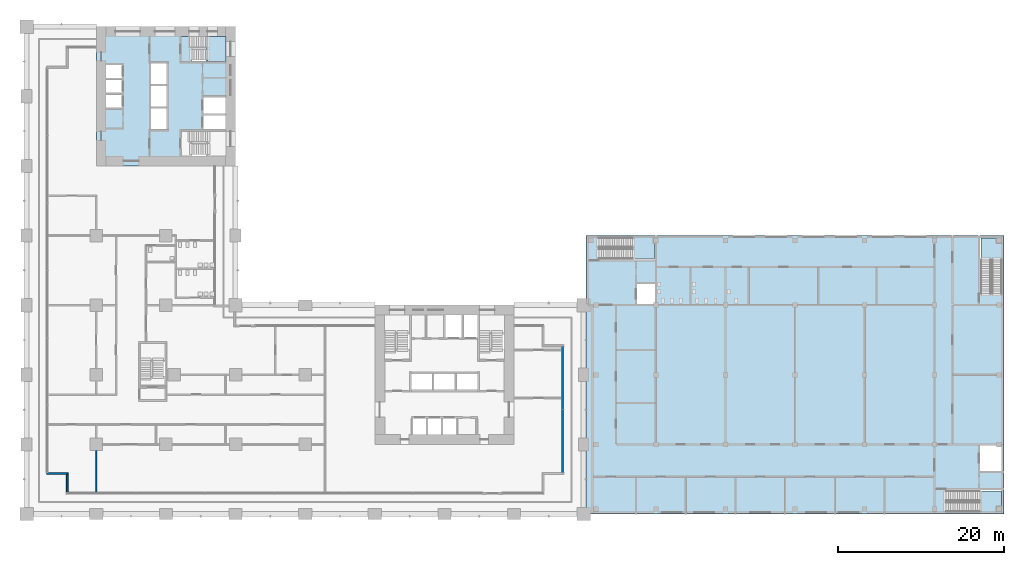
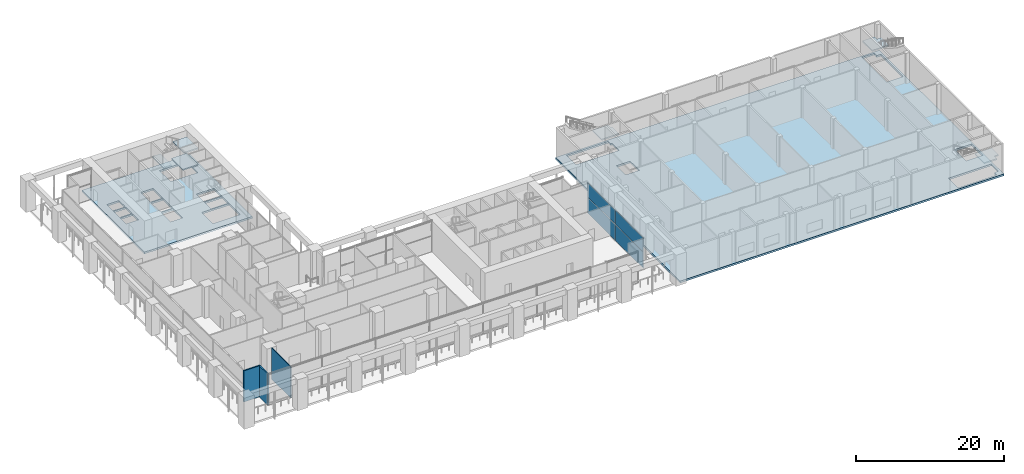
# One storey, part 13 of 32: 8 slabs, 4 plates, 3 walls, 5 elements without a shape of their own.
"""IFC4 building model written with IfcOpenShell, lengths in metres."""

from ifc_helpers import new_model, si_unit, direction, frame, frame_2d, origin, origin_2d, place, context, subcontext, project, spatial, polyline, rectangle, outline, extrude, material, layer, layer_set, type_object, element, aggregate, save


model = new_model("IFC4")

# Units and contexts
model_context = context("Model", 3, precision=1e-05, world=origin(), true_north=direction((0.0, 1.0)))
body_context = subcontext(model_context, "Body", "Model", "MODEL_VIEW")
ifc_project = project(units=[si_unit("LENGTHUNIT", "METRE"), si_unit("AREAUNIT", "SQUARE_METRE"), si_unit("VOLUMEUNIT", "CUBIC_METRE"), si_unit("PLANEANGLEUNIT", "RADIAN"), si_unit("MASSUNIT", "GRAM", prefix="KILO")], contexts=[model_context])

# Site, building, storey
site_placement = place(None, origin())
site = spatial("IfcSite", under=ifc_project, at=site_placement, CompositionType="ELEMENT")
building_placement = place(site_placement, origin())
building = spatial("IfcBuilding", under=site, at=building_placement, Name="Vermilion Gate Residences", CompositionType="ELEMENT")
storey_placement = place(building_placement, frame((0.0, 0.0, 19.800048828125)))
storey = spatial("IfcBuildingStorey", under=building, at=storey_placement, Name="L03", CompositionType="ELEMENT", Elevation=19.800048828125)

# Curtain wall, plates
ifc_material_1 = material(Name="Aluminium and glass", Category="aluminium")
curtain_wall_type = type_object("IfcCurtainWallType", Name="AMENITY GLAZING CURTAIN WALL", PredefinedType="NOTDEFINED", material=ifc_material_1)
curtain_wall_placement = place(storey_placement, origin())
curtain_wall = element("IfcCurtainWall", 1, at=curtain_wall_placement, inside=storey, type_object=curtain_wall_type, Name="Amenity Glazing 90", PredefinedType="NOTDEFINED")
ifc_material_2 = material(Name="Low-iron glass", Category="glass")
ifc_layer_1 = layer(ifc_material_2, 0.028076171875)
ifc_layer_set_1 = layer_set([ifc_layer_1], Name="AMENITY GLAZING GLASS PANEL 28")
plate_type = type_object("IfcPlateType", Name="AMENITY GLAZING GLASS PANEL 28", PredefinedType="CURTAIN_PANEL", material=ifc_layer_set_1)
plate_1_placement = place(storey_placement, frame((64.699951171875, 8.81494140625, 0.06005859375), z_axis=(0.0, 0.0, 1.0), x_axis=(0.0, 1.0, 0.0)))
plate_1 = element("IfcPlate", 2, at=plate_1_placement, type_object=plate_type, Name="ECW2 panel 1.1", PredefinedType="CURTAIN_PANEL", context=body_context, shape_type="SweptSolid", body=[
    extrude(rectangle(XDim=7.510009765625, YDim=0.028076171875, at=origin_2d()), origin(), (0.0, 0.0, 1.0), 2.610107421875),
])
plate_2_placement = place(storey_placement, frame((64.699951171875, 8.81494140625, 2.72998046875), z_axis=(0.0, 0.0, 1.0), x_axis=(0.0, 1.0, 0.0)))
plate_2 = element("IfcPlate", 3, at=plate_2_placement, type_object=plate_type, Name="ECW2 panel 1.2", PredefinedType="CURTAIN_PANEL", context=body_context, shape_type="SweptSolid", body=[
    extrude(rectangle(XDim=7.510009765625, YDim=0.028076171875, at=origin_2d()), origin(), (0.0, 0.0, 1.0), 2.330078125),
])
plate_3_placement = place(storey_placement, frame((64.699951171875, 16.385009765625, 0.06005859375), z_axis=(0.0, 0.0, 1.0), x_axis=(0.0, 1.0, 0.0)))
plate_3 = element("IfcPlate", 4, at=plate_3_placement, type_object=plate_type, Name="ECW2 panel 2.1", PredefinedType="CURTAIN_PANEL", context=body_context, shape_type="SweptSolid", body=[
    extrude(rectangle(XDim=7.510009765625, YDim=0.028076171875, at=origin_2d()), origin(), (0.0, 0.0, 1.0), 2.610107421875),
])
plate_4_placement = place(storey_placement, frame((64.699951171875, 16.385009765625, 2.72998046875), z_axis=(0.0, 0.0, 1.0), x_axis=(0.0, 1.0, 0.0)))
plate_4 = element("IfcPlate", 5, at=plate_4_placement, type_object=plate_type, Name="ECW2 panel 2.2", PredefinedType="CURTAIN_PANEL", context=body_context, shape_type="SweptSolid", body=[
    extrude(rectangle(XDim=7.510009765625, YDim=0.028076171875, at=origin_2d()), origin(), (0.0, 0.0, 1.0), 2.330078125),
])
aggregate(curtain_wall, [plate_1, plate_2, plate_3, plate_4])

# Slabs
ifc_material_3 = material(Name="Concrete C35", Category="concrete")
ifc_layer_2 = layer(ifc_material_3, 0.300048828125)
ifc_layer_set_2 = layer_set([ifc_layer_2], Name="FLOOR SLAB 300 C35 (MARKET HALL)")
slab_type_1 = type_object("IfcSlabType", Name="FLOOR SLAB 300 C35 (MARKET HALL)", PredefinedType="FLOOR", material=ifc_layer_set_2)
slab_1_placement = place(storey_placement, frame((0.0, 0.0, -0.300048828125)))
element("IfcSlab", 6, at=slab_1_placement, inside=storey, type_object=slab_type_1, Name="Floor slab L03", PredefinedType="FLOOR", context=body_context, shape_type="SweptSolid", body=[
    extrude(outline(polyline([(67.5, 0.0), (117.89990234375, 0.0), (117.89990234375, 33.60009765625), (67.5, 33.60009765625), (67.5, 0.0)]), holes=[polyline([(110.925048828125, 2.875), (117.60009765625, 2.875), (117.60009765625, 0.949951171875), (116.949951171875, 0.949951171875), (116.949951171875, 0.300048828125), (110.925048828125, 0.300048828125), (110.925048828125, 2.875)]), polyline([(115.02490234375, 5.22509765625), (115.02490234375, 8.27490234375), (117.64990234375, 8.27490234375), (117.64990234375, 5.22509765625), (115.02490234375, 5.22509765625)]), polyline([(73.625, 25.324951171875), (73.625, 27.77490234375), (75.77490234375, 27.77490234375), (75.77490234375, 25.324951171875), (73.625, 25.324951171875)]), polyline([(115.02490234375, 33.300048828125), (116.949951171875, 33.300048828125), (116.949951171875, 32.64990234375), (117.60009765625, 32.64990234375), (117.60009765625, 26.625), (115.02490234375, 26.625), (115.02490234375, 33.300048828125)]), polyline([(69.050048828125, 33.300048828125), (75.550048828125, 33.300048828125), (75.550048828125, 32.64990234375), (75.77490234375, 32.64990234375), (75.77490234375, 30.72509765625), (69.050048828125, 30.72509765625), (69.050048828125, 33.300048828125)])]), origin(), (0.0, 0.0, 1.0), 0.300048828125),
])
ifc_material_4 = material(Name="Concrete C50", Category="concrete")
ifc_layer_3 = layer(ifc_material_4, 0.300048828125)
ifc_layer_set_3 = layer_set([ifc_layer_3], Name="RC CORE FLOOR SLAB 300 C50")
slab_type_2 = type_object("IfcSlabType", Name="RC CORE FLOOR SLAB 300 C50", PredefinedType="FLOOR", material=ifc_layer_set_3)
slab_2_placement = place(storey_placement, frame((0.0, 0.0, -0.300048828125)))
element("IfcSlab", 7, at=slab_2_placement, inside=storey, type_object=slab_type_2, Name="Core floor slab B03", PredefinedType="FLOOR", context=body_context, shape_type="SweptSolid", body=[
    extrude(outline(polyline([(8.39990234375, 42.0), (25.199951171875, 42.0), (25.199951171875, 58.800048828125), (8.39990234375, 58.800048828125), (8.39990234375, 42.0)]), holes=[polyline([(19.75, 46.199951171875), (24.0, 46.199951171875), (24.0, 43.199951171875), (19.75, 43.199951171875), (19.75, 46.199951171875)]), polyline([(21.300048828125, 48.10009765625), (24.0, 48.10009765625), (24.0, 46.39990234375), (21.300048828125, 46.39990234375), (21.300048828125, 48.10009765625)]), polyline([(15.0, 48.933349609375), (16.89990234375, 48.933349609375), (16.89990234375, 46.39990234375), (15.0, 46.39990234375), (15.0, 48.933349609375)]), polyline([(24.0, 50.300048828125), (24.0, 48.300048828125), (21.300048828125, 48.300048828125), (21.300048828125, 50.300048828125), (24.0, 50.300048828125)]), polyline([(11.5, 50.60009765625), (11.5, 49.0), (9.60009765625, 49.0), (9.60009765625, 50.60009765625), (11.5, 50.60009765625)]), polyline([(15.0, 51.666748046875), (16.89990234375, 51.666748046875), (16.89990234375, 49.13330078125), (15.0, 49.13330078125), (15.0, 51.666748046875)]), polyline([(9.60009765625, 52.39990234375), (11.5, 52.39990234375), (11.5, 50.800048828125), (9.60009765625, 50.800048828125), (9.60009765625, 52.39990234375)]), polyline([(15.0, 54.39990234375), (16.89990234375, 54.39990234375), (16.89990234375, 51.86669921875), (15.0, 51.86669921875), (15.0, 54.39990234375)]), polyline([(11.5, 54.199951171875), (11.5, 52.60009765625), (9.60009765625, 52.60009765625), (9.60009765625, 54.199951171875), (11.5, 54.199951171875)]), polyline([(24.0, 57.60009765625), (24.0, 54.60009765625), (19.75, 54.60009765625), (19.75, 57.60009765625), (24.0, 57.60009765625)])]), origin(), (0.0, 0.0, 1.0), 0.300048828125),
])

# Stair, slab
ifc_material_5 = material(Name="Concrete C35", Category="concrete")
stair_type_1 = type_object("IfcStairType", Name="RC STAIR 1200 (MARKET HALL)", PredefinedType="HALF_TURN_STAIR", material=ifc_material_5)
stair_1_placement = place(storey_placement, origin())
stair_1 = element("IfcStair", 8, at=stair_1_placement, inside=storey, type_object=stair_type_1, Name="Stair STH1-03", PredefinedType="HALF_TURN_STAIR")
ifc_material_6 = material(Name="Concrete C35", Category="concrete")
ifc_layer_4 = layer(ifc_material_6, 0.199951171875)
ifc_layer_set_4 = layer_set([ifc_layer_4], Name="STAIR LANDING 200 C35 (MARKET HALL)")
slab_type_3 = type_object("IfcSlabType", Name="STAIR LANDING 200 C35 (MARKET HALL)", PredefinedType="LANDING", material=ifc_layer_set_4)
slab_3_placement = place(storey_placement, frame((0.0, 0.0, 2.5)))
slab_3 = element("IfcSlab", 9, at=slab_3_placement, type_object=slab_type_3, Name="STH1-03 landing 1", PredefinedType="LANDING", context=body_context, shape_type="SweptSolid", body=[
    extrude(outline(polyline([(75.550048828125, 33.35009765625), (73.10009765625, 33.35009765625), (73.10009765625, 30.800048828125), (75.784912109375, 30.800048828125), (75.784912109375, 32.64990234375), (75.550048828125, 32.64990234375), (75.550048828125, 33.35009765625)])), origin(), (0.0, 0.0, 1.0), 0.199951171875),
])
aggregate(stair_1, [slab_3])

stair_2_placement = place(storey_placement, origin())
stair_2 = element("IfcStair", 10, at=stair_2_placement, inside=storey, type_object=stair_type_1, Name="Stair STH2-03", PredefinedType="HALF_TURN_STAIR")
slab_4_placement = place(storey_placement, frame((0.0, 0.0, 2.5)))
slab_4 = element("IfcSlab", 11, at=slab_4_placement, type_object=slab_type_3, Name="STH2-03 landing 1", PredefinedType="LANDING", context=body_context, shape_type="SweptSolid", body=[
    extrude(outline(polyline([(114.97509765625, 0.25), (116.949951171875, 0.25), (116.949951171875, 0.949951171875), (117.610107421875, 0.949951171875), (117.610107421875, 2.800048828125), (114.97509765625, 2.800048828125), (114.97509765625, 0.25)])), origin(), (0.0, 0.0, 1.0), 0.199951171875),
])
aggregate(stair_2, [slab_4])

stair_3_placement = place(storey_placement, origin())
stair_3 = element("IfcStair", 12, at=stair_3_placement, inside=storey, type_object=stair_type_1, Name="Stair STH3-03", PredefinedType="HALF_TURN_STAIR")
slab_5_placement = place(storey_placement, frame((0.0, 0.0, 2.5)))
slab_5 = element("IfcSlab", 13, at=slab_5_placement, type_object=slab_type_3, Name="STH3-03 landing 1", PredefinedType="LANDING", context=body_context, shape_type="SweptSolid", body=[
    extrude(outline(polyline([(116.949951171875, 33.31005859375), (115.10009765625, 33.31005859375), (115.10009765625, 30.675048828125), (117.64990234375, 30.675048828125), (117.64990234375, 32.64990234375), (116.949951171875, 32.64990234375), (116.949951171875, 33.31005859375)])), origin(), (0.0, 0.0, 1.0), 0.199951171875),
])
aggregate(stair_3, [slab_5])

# Stair, slabs
ifc_material_7 = material(Name="Concrete C50", Category="concrete")
stair_type_2 = type_object("IfcStairType", Name="SPECIAL ESCAPE STAIR 1300", PredefinedType="HALF_TURN_STAIR", material=ifc_material_7)
stair_4_placement = place(storey_placement, origin())
stair_4 = element("IfcStair", 14, at=stair_4_placement, inside=storey, type_object=stair_type_2, Name="Special escape stair STB1-03", PredefinedType="HALF_TURN_STAIR")
ifc_material_8 = material(Name="Concrete C50", Category="concrete")
ifc_layer_5 = layer(ifc_material_8, 0.199951171875)
ifc_layer_set_5 = layer_set([ifc_layer_5], Name="STAIR LANDING 200 C50")
slab_type_4 = type_object("IfcSlabType", Name="STAIR LANDING 200 C50", PredefinedType="LANDING", material=ifc_layer_set_5)
slab_6_placement = place(storey_placement, frame((0.0, 0.0, 1.14990234375)))
slab_6 = element("IfcSlab", 15, at=slab_6_placement, type_object=slab_type_4, Name="STB1-03 landing 1", PredefinedType="LANDING", context=body_context, shape_type="SweptSolid", body=[
    extrude(outline(polyline([(24.02001953125, 54.580078125), (24.02001953125, 57.6201171875), (21.639892578125, 57.6201171875), (21.639892578125, 54.580078125), (24.02001953125, 54.580078125)])), origin(), (0.0, 0.0, 1.0), 0.199951171875),
])
slab_7_placement = place(storey_placement, frame((0.0, 0.0, 2.5)))
slab_7 = element("IfcSlab", 16, at=slab_7_placement, type_object=slab_type_4, Name="STB1-03 landing 2", PredefinedType="LANDING", context=body_context, shape_type="SweptSolid", body=[
    extrude(outline(polyline([(19.929931640625, 54.580078125), (19.929931640625, 57.6201171875), (18.6298828125, 57.6201171875), (18.6298828125, 54.580078125), (19.929931640625, 54.580078125)])), origin(), (0.0, 0.0, 1.0), 0.199951171875),
])
slab_8_placement = place(storey_placement, frame((0.0, 0.0, 3.849853515625)))
slab_8 = element("IfcSlab", 17, at=slab_8_placement, type_object=slab_type_4, Name="STB1-03 landing 3", PredefinedType="LANDING", context=body_context, shape_type="SweptSolid", body=[
    extrude(outline(polyline([(24.02001953125, 54.580078125), (24.02001953125, 57.6201171875), (21.820068359375, 57.6201171875), (21.820068359375, 54.580078125), (24.02001953125, 54.580078125)])), origin(), (0.0, 0.0, 1.0), 0.2001953125),
])
aggregate(stair_4, [slab_6, slab_7, slab_8])

# Walls
ifc_material_9 = material(Name="Insulated steel stud wall with terracotta rainscreen", Category="masonry")
ifc_layer_6 = layer(ifc_material_9, 0.199951171875)
ifc_layer_set_6 = layer_set([ifc_layer_6], Name="EXTERNAL WALL 200 TERRACOTTA RAINSCREEN")
wall_type_1 = type_object("IfcWallType", Name="EXTERNAL WALL 200 TERRACOTTA RAINSCREEN", PredefinedType="SOLIDWALL", material=ifc_layer_set_6)
wall_1_placement = place(storey_placement, frame((2.39990234375, 4.89990234375, 0.0), z_axis=(0.0, 0.0, 1.0), x_axis=(1.0, 0.0, 0.0)))
element("IfcWall", 18, at=wall_1_placement, inside=storey, type_object=wall_type_1, Name="External wall", PredefinedType="SOLIDWALL", context=body_context, shape_type="SweptSolid", body=[
    extrude(rectangle(XDim=2.60009765625, YDim=0.199951171875, at=frame_2d((1.300048828125, 0.0))), origin(), (0.0, 0.0, 1.0), 5.119873046875),
])
wall_2_placement = place(storey_placement, frame((4.89990234375, 4.800048828125, 0.0), z_axis=(0.0, 0.0, 1.0), x_axis=(0.0, -1.0, 0.0)))
element("IfcWall", 19, at=wall_2_placement, inside=storey, type_object=wall_type_1, Name="External wall", PredefinedType="SOLIDWALL", context=body_context, shape_type="SweptSolid", body=[
    extrude(rectangle(XDim=2.199951171875, YDim=0.199951171875, at=frame_2d((1.10009765625, 0.0))), origin(), (0.0, 0.0, 1.0), 5.119873046875),
])
ifc_material_10 = material(Name="Gypsum board on steel studs", Category="steel")
ifc_layer_7 = layer(ifc_material_10, 0.14990234375)
ifc_layer_set_7 = layer_set([ifc_layer_7], Name="PARTITION 150 EI 60 (AMENITY)")
wall_type_2 = type_object("IfcWallType", Name="PARTITION 150 EI 60 (AMENITY)", PredefinedType="PARTITIONING", material=ifc_layer_set_7)
wall_3_placement = place(storey_placement, frame((8.39990234375, 2.5, 0.0), z_axis=(0.0, 0.0, 1.0), x_axis=(0.0, 1.0, 0.0)))
element("IfcWall", 20, at=wall_3_placement, inside=storey, type_object=wall_type_2, Name="Partition 6", PredefinedType="PARTITIONING", context=body_context, shape_type="SweptSolid", body=[
    extrude(rectangle(XDim=5.14990234375, YDim=0.14990234375, at=frame_2d((2.574951171875, 0.0))), origin(), (0.0, 0.0, 1.0), 5.119873046875),
])

save(model, "model.ifc")
